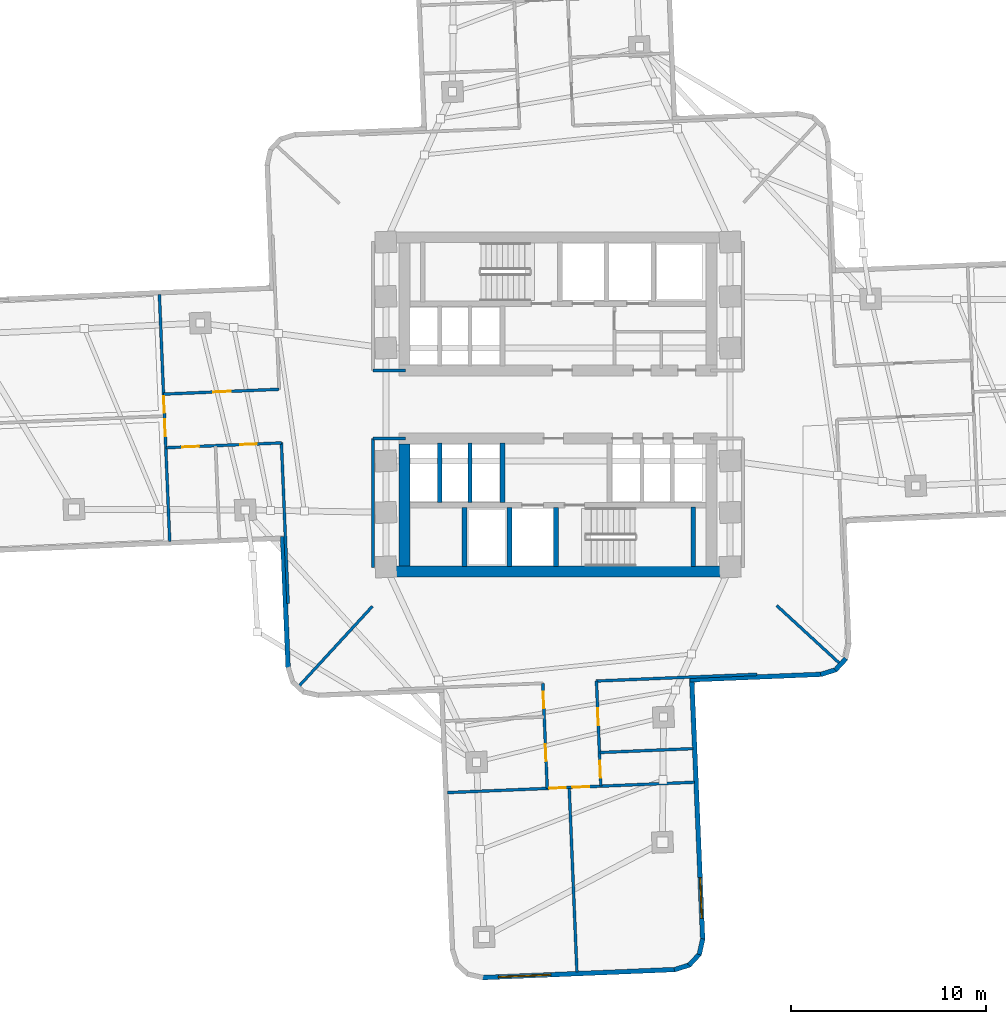
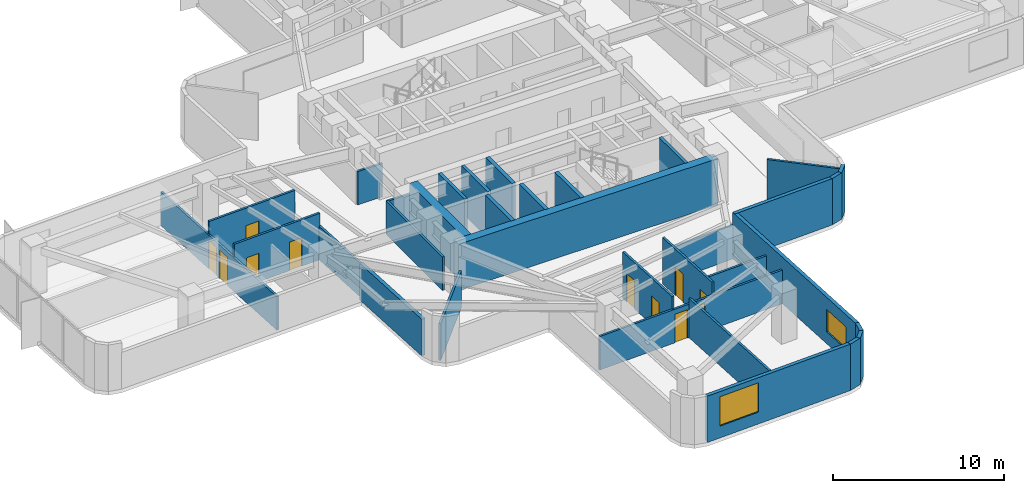
# One storey, part 8 of 15: 33 walls, 11 doors, 2 windows, 13 openings.
"""IFC4 building model written with IfcOpenShell, lengths in metres."""

from ifc_helpers import new_model, si_unit, direction, frame, frame_2d, origin, place, context, subcontext, project, spatial, rectangle, extrude, material, layer, layer_set, type_object, element, fill, save


model = new_model("IFC4")

# Units and contexts
model_context = context("Model", 3, precision=1e-05, world=origin(), true_north=direction((0.0, 1.0)))
body_context = subcontext(model_context, "Body", "Model", "MODEL_VIEW")
ifc_project = project(units=[si_unit("LENGTHUNIT", "METRE"), si_unit("AREAUNIT", "SQUARE_METRE"), si_unit("VOLUMEUNIT", "CUBIC_METRE"), si_unit("PLANEANGLEUNIT", "RADIAN"), si_unit("MASSUNIT", "GRAM", prefix="KILO")], contexts=[model_context])

# Site, building, storey
site_placement = place(None, origin())
site = spatial("IfcSite", under=ifc_project, at=site_placement, CompositionType="ELEMENT")
building_placement = place(site_placement, origin())
building = spatial("IfcBuilding", under=site, at=building_placement, Name="Solmarez Civic Tower", CompositionType="ELEMENT")
storey_placement = place(building_placement, frame((0.0, 0.0, 46.080078125)))
storey = spatial("IfcBuildingStorey", under=building, at=storey_placement, Name="L11", CompositionType="ELEMENT", Elevation=46.080078125)

# Walls
ifc_material_1 = material(Name="Concrete C60/75", Category="concrete")
ifc_layer_1 = layer(ifc_material_1, 0.550048828125)
ifc_layer_set_1 = layer_set([ifc_layer_1], Name="Concrete C60/75")
wall_type_1 = type_object("IfcWallType", Name="WALL-CORE-550", PredefinedType="SHEAR", material=ifc_layer_set_1)
wall_1_placement = place(storey_placement, frame((8.780029296875, -8.5849609375, 0.0), z_axis=(0.0, 0.0, 1.0), x_axis=(-1.0, 0.0, 0.0)))
element("IfcWall", 1, at=wall_1_placement, inside=storey, type_object=wall_type_1, Name="L11 Split-Core Structural Wall SCW-S-L11", PredefinedType="SHEAR", context=body_context, shape_type="SweptSolid", body=[
    extrude(rectangle(XDim=17.56005859375, YDim=0.550048828125, at=frame_2d((8.780029296875, 0.0))), origin(), (0.0, 0.0, 1.0), 3.31982421875),
])
wall_2_placement = place(storey_placement, frame((-7.89501953125, -8.31005859375, 0.0), z_axis=(0.0, 0.0, 1.0), x_axis=(0.0, 1.0, 0.0)))
element("IfcWall", 2, at=wall_2_placement, inside=storey, type_object=wall_type_1, Name="L11 Split-Core Structural Wall SCW-W-L11", PredefinedType="SHEAR", context=body_context, shape_type="SweptSolid", body=[
    extrude(rectangle(XDim=6.28515625, YDim=0.550048828125, at=frame_2d((3.142578125, 0.0))), origin(), (0.0, 0.0, 1.0), 3.31982421875),
])
ifc_material_2 = material(Name="Precast concrete C40/50", Category="concrete")
ifc_layer_2 = layer(ifc_material_2, 0.239990234375)
ifc_layer_set_2 = layer_set([ifc_layer_2], Name="Precast concrete C40/50")
wall_type_2 = type_object("IfcWallType", Name="WALL-EXT-240", PredefinedType="SOLIDWALL", material=ifc_layer_set_2)
wall_3_placement = place(storey_placement, frame((14.805908203125, -13.06201171875, 0.0), z_axis=(0.0, 0.0, 1.0), x_axis=(-0.677693750404, -0.735344259965, 0.0)))
element("IfcWall", 3, at=wall_3_placement, inside=storey, type_object=wall_type_2, Name="L11 Exterior Precast Wall 51", PredefinedType="SOLIDWALL", context=body_context, shape_type="SweptSolid", body=[
    extrude(rectangle(XDim=0.81298828125, YDim=0.239990234375, at=frame_2d((0.406494140625, 0.0))), origin(), (0.0, 0.0, 1.0), 3.31982421875),
])
wall_4_placement = place(storey_placement, frame((14.2958984375, -13.635009765625, 0.0), z_axis=(0.0, 0.0, 1.0), x_axis=(-0.954396284631, -0.298542680168, 0.0)))
element("IfcWall", 4, at=wall_4_placement, inside=storey, type_object=wall_type_2, Name="L11 Exterior Precast Wall 52", PredefinedType="SOLIDWALL", context=body_context, shape_type="SweptSolid", body=[
    extrude(rectangle(XDim=0.830810546875, YDim=0.239990234375, at=frame_2d((0.41552734375, 0.0))), origin(), (0.0, 0.0, 1.0), 3.31982421875),
])
wall_5_placement = place(storey_placement, frame((13.552001953125, -13.875, 0.0), z_axis=(0.0, 0.0, 1.0), x_axis=(-0.999127443157, -0.041765444226, 0.0)))
element("IfcWall", 5, at=wall_5_placement, inside=storey, type_object=wall_type_2, Name="L11 Exterior Precast Wall 53", PredefinedType="SOLIDWALL", context=body_context, shape_type="SweptSolid", body=[
    extrude(rectangle(XDim=6.77490234375, YDim=0.239990234375, at=frame_2d((3.387451171875, 0.0))), origin(), (0.0, 0.0, 1.0), 3.31982421875),
])

# Wall, opening, window
wall_6_placement = place(storey_placement, frame((6.875, -14.05810546875, 0.0), z_axis=(0.0, 0.0, 1.0), x_axis=(0.041850586852, -0.999123880397, 0.0)))
wall_6 = element("IfcWall", 6, at=wall_6_placement, inside=storey, type_object=wall_type_2, Name="L11 Exterior Precast Wall 56", PredefinedType="SOLIDWALL", context=body_context, shape_type="SweptSolid", body=[
    extrude(rectangle(XDim=13.4755859375, YDim=0.239990234375, at=frame_2d((6.73779296875, 0.0))), origin(), (0.0, 0.0, 1.0), 3.31982421875),
])
opening_1_placement = place(wall_6_placement, frame((10.27587890625, 0.0, 0.85009765625)))
opening_1 = element("IfcOpeningElement", 7, at=opening_1_placement, cuts=wall_6, Name="Opening W-11", PredefinedType="OPENING", context=body_context, shape_type="SweptSolid", body=[
    extrude(rectangle(XDim=2.10009765625, YDim=1.60009765625, at=frame_2d((1.050048828125, 0.800048828125))), frame((0.0, 0.1298828125, 0.0), z_axis=(0.0, -1.0, 0.0), x_axis=(1.0, 0.0, 0.0)), (0.0, 0.0, 1.0), 0.260009765625),
])
ifc_material_3 = material(Name="Solar Control Bronze-Tinted Insulating Glass", Category="glass")
window_type_1 = type_object("IfcWindowType", Name="WIN-2100X1600", PartitioningType="SINGLE_PANEL", PredefinedType="WINDOW", material=ifc_material_3)
window_1_placement = place(opening_1_placement, origin())
window_1 = element("IfcWindow", 8, at=window_1_placement, inside=storey, type_object=window_type_1, Name="L11 Exterior Facade Window 56", OverallHeight=1.60009765625, OverallWidth=2.10009765625, PartitioningType="SINGLE_PANEL", PredefinedType="WINDOW", context=body_context, shape_type="SweptSolid", body=[
    extrude(rectangle(XDim=2.10009765625, YDim=1.60009765625, at=frame_2d((1.050048828125, 0.800048828125))), frame((0.0, 0.030029296875, 0.0), z_axis=(0.0, -1.0, 0.0), x_axis=(1.0, 0.0, 0.0)), (0.0, 0.0, 1.0), 0.06005859375),
])
fill(opening_1, window_1)

# Walls
wall_7_placement = place(storey_placement, frame((7.443115234375, -27.472900390625, 0.0), z_axis=(0.0, 0.0, 1.0), x_axis=(-0.21736704137, -0.976089939158, 0.0)))
element("IfcWall", 9, at=wall_7_placement, inside=storey, type_object=wall_type_2, Name="L11 Exterior Precast Wall 57", PredefinedType="SOLIDWALL", context=body_context, shape_type="SweptSolid", body=[
    extrude(rectangle(XDim=0.828857421875, YDim=0.239990234375, at=frame_2d((0.41455078125, 0.0))), origin(), (0.0, 0.0, 1.0), 3.31982421875),
])
wall_8_placement = place(storey_placement, frame((7.284912109375, -28.239990234375, 0.0), z_axis=(0.0, 0.0, 1.0), x_axis=(-0.676946063044, -0.73603262681, 0.0)))
element("IfcWall", 10, at=wall_8_placement, inside=storey, type_object=wall_type_2, Name="L11 Exterior Precast Wall 58", PredefinedType="SOLIDWALL", context=body_context, shape_type="SweptSolid", body=[
    extrude(rectangle(XDim=0.81396484375, YDim=0.239990234375, at=frame_2d((0.406982421875, 0.0))), origin(), (0.0, 0.0, 1.0), 3.31982421875),
])
wall_9_placement = place(storey_placement, frame((6.77490234375, -28.81396484375, 0.0), z_axis=(0.0, 0.0, 1.0), x_axis=(-0.954730695464, -0.297471509794, 0.0)))
element("IfcWall", 11, at=wall_9_placement, inside=storey, type_object=wall_type_2, Name="L11 Exterior Precast Wall 59", PredefinedType="SOLIDWALL", context=body_context, shape_type="SweptSolid", body=[
    extrude(rectangle(XDim=0.83056640625, YDim=0.239990234375, at=frame_2d((0.415283203125, 0.0))), origin(), (0.0, 0.0, 1.0), 3.31982421875),
])

# Wall, opening, window
wall_10_placement = place(storey_placement, frame((6.031005859375, -29.052978515625, 0.0), z_axis=(0.0, 0.0, 1.0), x_axis=(-0.999123553269, -0.041858395859, 0.0)))
wall_10 = element("IfcWall", 12, at=wall_10_placement, inside=storey, type_object=wall_type_2, Name="L11 Exterior Precast Wall 60", PredefinedType="SOLIDWALL", context=body_context, shape_type="SweptSolid", body=[
    extrude(rectangle(XDim=9.938720703125, YDim=0.239990234375, at=frame_2d((4.96923828125, 0.0))), origin(), (0.0, 0.0, 1.0), 3.31982421875),
])
opening_2_placement = place(wall_10_placement, frame((6.402099609375, 0.0, 0.85009765625)))
opening_2 = element("IfcOpeningElement", 13, at=opening_2_placement, cuts=wall_10, Name="Opening W-01", PredefinedType="OPENING", context=body_context, shape_type="SweptSolid", body=[
    extrude(rectangle(XDim=2.699951171875, YDim=2.10009765625, at=frame_2d((1.35009765625, 1.050048828125))), frame((0.0, 0.1298828125, 0.0), z_axis=(0.0, -1.0, 0.0), x_axis=(1.0, 0.0, 0.0)), (0.0, 0.0, 1.0), 0.260009765625),
])
window_type_2 = type_object("IfcWindowType", Name="WIN-2700X2100", PartitioningType="SINGLE_PANEL", PredefinedType="WINDOW", material=ifc_material_3)
window_2_placement = place(opening_2_placement, origin())
window_2 = element("IfcWindow", 14, at=window_2_placement, inside=storey, type_object=window_type_2, Name="L11 Exterior Facade Window 60", OverallHeight=2.10009765625, OverallWidth=2.699951171875, PartitioningType="SINGLE_PANEL", PredefinedType="WINDOW", context=body_context, shape_type="SweptSolid", body=[
    extrude(rectangle(XDim=2.699951171875, YDim=2.10009765625, at=frame_2d((1.35009765625, 1.050048828125))), frame((0.0, 0.030029296875, 0.0), z_axis=(0.0, -1.0, 0.0), x_axis=(1.0, 0.0, 0.0)), (0.0, 0.0, 1.0), 0.06005859375),
])
fill(opening_2, window_2)

# Walls
wall_11_placement = place(storey_placement, frame((-13.875, -13.552001953125, 0.0), z_axis=(0.0, 0.0, 1.0), x_axis=(-0.041765444226, 0.999127443157, 0.0)))
element("IfcWall", 15, at=wall_11_placement, inside=storey, type_object=wall_type_2, Name="L11 Exterior Precast Wall 71", PredefinedType="SOLIDWALL", context=body_context, shape_type="SweptSolid", body=[
    extrude(rectangle(XDim=6.77490234375, YDim=0.239990234375, at=frame_2d((3.387451171875, 0.0))), origin(), (0.0, 0.0, 1.0), 2.6240234375),
])
ifc_material_4 = material(Name="Gypsum Board Acoustic Steel-Stud Partition", Category="steel")
ifc_layer_3 = layer(ifc_material_4, 0.14990234375)
ifc_layer_set_3 = layer_set([ifc_layer_3], Name="Gypsum Board Acoustic Steel-Stud Partition")
wall_type_3 = type_object("IfcWallType", Name="WALL-INT-FIRE-150", PredefinedType="PARTITIONING", material=ifc_layer_set_3)
wall_12_placement = place(storey_placement, frame((-7.85009765625, 1.75, 0.0), z_axis=(0.0, 0.0, 1.0), x_axis=(-1.0, 0.0, 0.0)))
element("IfcWall", 16, at=wall_12_placement, inside=storey, type_object=wall_type_3, Name="L11 Interior Partition CHW-L11-WN3", PredefinedType="PARTITIONING", context=body_context, shape_type="SweptSolid", body=[
    extrude(rectangle(XDim=1.669921875, YDim=0.14990234375, at=frame_2d((0.8349609375, 0.0))), origin(), (0.0, 0.0, 1.0), 2.385009765625),
])
wall_13_placement = place(storey_placement, frame((-9.52001953125, -8.3798828125, 0.0), z_axis=(0.0, 0.0, 1.0), x_axis=(0.0, 1.0, 0.0)))
element("IfcWall", 17, at=wall_13_placement, inside=storey, type_object=wall_type_3, Name="L11 Interior Partition CHW-L11-WS1", PredefinedType="PARTITIONING", context=body_context, shape_type="SweptSolid", body=[
    extrude(rectangle(XDim=6.6298828125, YDim=0.14990234375, at=frame_2d((3.31494140625, 0.0))), origin(), (0.0, 0.0, 1.0), 2.40087890625),
])
wall_14_placement = place(storey_placement, frame((-7.85009765625, -1.75, 0.0), z_axis=(0.0, 0.0, 1.0), x_axis=(-1.0, 0.0, 0.0)))
element("IfcWall", 18, at=wall_14_placement, inside=storey, type_object=wall_type_3, Name="L11 Interior Partition CHW-L11-WS3", PredefinedType="PARTITIONING", context=body_context, shape_type="SweptSolid", body=[
    extrude(rectangle(XDim=1.669921875, YDim=0.14990234375, at=frame_2d((0.8349609375, 0.0))), origin(), (0.0, 0.0, 1.0), 2.385009765625),
])
ifc_layer_4 = layer(ifc_material_4, 0.14501953125)
ifc_layer_set_4 = layer_set([ifc_layer_4], Name="Gypsum Board Acoustic Steel-Stud Partition")
wall_type_4 = type_object("IfcWallType", Name="WALL-INT-PART-150", PredefinedType="PARTITIONING", material=ifc_layer_set_4)
wall_15_placement = place(storey_placement, frame((-9.5439453125, -10.3798828125, 0.0), z_axis=(0.0, 0.0, 1.0), x_axis=(-0.676856513188, -0.736114977809, 0.0)))
element("IfcWall", 19, at=wall_15_placement, inside=storey, type_object=wall_type_4, Name="L11 Interior Partition PT-L11-QDIV-3", PredefinedType="PARTITIONING", context=body_context, shape_type="SweptSolid", body=[
    extrude(rectangle(XDim=5.5537109375, YDim=0.14501953125, at=frame_2d((2.77685546875, 0.0))), origin(), (0.0, 0.0, 1.0), 2.6240234375),
])
wall_16_placement = place(storey_placement, frame((11.2451171875, -10.340087890625, 0.0), z_axis=(0.0, 0.0, 1.0), x_axis=(0.736178820698, -0.676787074312, 0.0)))
element("IfcWall", 20, at=wall_16_placement, inside=storey, type_object=wall_type_4, Name="L11 Interior Partition PT-L11-QDIV-4", PredefinedType="PARTITIONING", context=body_context, shape_type="SweptSolid", body=[
    extrude(rectangle(XDim=4.3779296875, YDim=0.14501953125, at=frame_2d((2.18896484375, 0.0))), origin(), (0.0, 0.0, 1.0), 3.31982421875),
])
wall_17_placement = place(storey_placement, frame((-14.219970703125, -1.967041015625, 0.0), z_axis=(0.0, 0.0, 1.0), x_axis=(0.041948565382, -0.99911977153, 0.0)))
element("IfcWall", 21, at=wall_17_placement, inside=storey, type_object=wall_type_4, Name="L11 Interior Partition PT-L11-W-EFL", PredefinedType="PARTITIONING", context=body_context, shape_type="SweptSolid", body=[
    extrude(rectangle(XDim=8.270263671875, YDim=0.14501953125, at=frame_2d((4.13525390625, 0.0))), origin(), (0.0, 0.0, 1.0), 2.40087890625),
])

# Wall, openings, doors
wall_18_placement = place(storey_placement, frame((-20.1640625, -2.22607421875, 0.0), z_axis=(0.0, 0.0, 1.0), x_axis=(0.999123588206, 0.041857561916, 0.0)))
wall_18 = element("IfcWall", 22, at=wall_18_placement, inside=storey, type_object=wall_type_4, Name="L11 Interior Partition PT-L11-W-SL", PredefinedType="PARTITIONING", context=body_context, shape_type="SweptSolid", body=[
    extrude(rectangle(XDim=5.94921875, YDim=0.14501953125, at=frame_2d((2.974609375, 0.0))), origin(), (0.0, 0.0, 1.0), 3.31982421875),
])
opening_3_placement = place(wall_18_placement, frame((3.823974609375, 0.0, 0.0)))
opening_3 = element("IfcOpeningElement", 23, at=opening_3_placement, cuts=wall_18, Name="Opening D-14", PredefinedType="OPENING", context=body_context, shape_type="SweptSolid", body=[
    extrude(rectangle(XDim=0.860107421875, YDim=2.0400390625, at=frame_2d((0.43017578125, 1.02001953125))), frame((0.0, 0.08251953125, 0.0), z_axis=(0.0, -1.0, 0.0), x_axis=(1.0, 0.0, 0.0)), (0.0, 0.0, 1.0), 0.1650390625),
])
opening_4_placement = place(wall_18_placement, frame((0.84912109375, 0.0, 0.0)))
opening_4 = element("IfcOpeningElement", 24, at=opening_4_placement, cuts=wall_18, Name="Opening D-14", PredefinedType="OPENING", context=body_context, shape_type="SweptSolid", body=[
    extrude(rectangle(XDim=0.860107421875, YDim=2.0400390625, at=frame_2d((0.43017578125, 1.02001953125))), frame((0.0, 0.08251953125, 0.0), z_axis=(0.0, -1.0, 0.0), x_axis=(1.0, 0.0, 0.0)), (0.0, 0.0, 1.0), 0.1650390625),
])
ifc_material_5 = material(Name="Timber Storage and Pantry Door", Category="wood")
door_type_1 = type_object("IfcDoorType", Name="DOOR-INT-850", OperationType="NOTDEFINED", PredefinedType="DOOR", material=ifc_material_5)
door_1_placement = place(opening_3_placement, origin())
door_1 = element("IfcDoor", 25, at=door_1_placement, inside=storey, type_object=door_type_1, Name="L11 Directorate Office First West Door", OperationType="SINGLE_SWING_LEFT", OverallHeight=2.0400390625, OverallWidth=0.860107421875, PredefinedType="DOOR", context=body_context, shape_type="SweptSolid", body=[
    extrude(rectangle(XDim=0.860107421875, YDim=2.0400390625, at=frame_2d((0.43017578125, 1.02001953125))), frame((0.0, 0.02490234375, 0.0), z_axis=(0.0, -1.0, 0.0), x_axis=(1.0, 0.0, 0.0)), (0.0, 0.0, 1.0), 0.050048828125),
])
fill(opening_3, door_1)
door_2_placement = place(opening_4_placement, origin())
door_2 = element("IfcDoor", 26, at=door_2_placement, inside=storey, type_object=door_type_1, Name="L11 Legal Counselling Room Second West Door", OperationType="SINGLE_SWING_RIGHT", OverallHeight=2.0400390625, OverallWidth=0.860107421875, PredefinedType="DOOR", context=body_context, shape_type="SweptSolid", body=[
    extrude(rectangle(XDim=0.860107421875, YDim=2.0400390625, at=frame_2d((0.43017578125, 1.02001953125))), frame((0.0, 0.02490234375, 0.0), z_axis=(0.0, -1.0, 0.0), x_axis=(1.0, 0.0, 0.0)), (0.0, 0.0, 1.0), 0.050048828125),
])
fill(opening_4, door_2)

# Wall, opening, door
wall_19_placement = place(storey_placement, frame((-14.3349609375, 0.780029296875, 0.0), z_axis=(0.0, 0.0, 1.0), x_axis=(-0.999123875731, -0.041850698257, 0.0)))
wall_19 = element("IfcWall", 27, at=wall_19_placement, inside=storey, type_object=wall_type_4, Name="L11 Interior Partition PT-L11-W-SR", PredefinedType="PARTITIONING", context=body_context, shape_type="SweptSolid", body=[
    extrude(rectangle(XDim=5.9501953125, YDim=0.14501953125, at=frame_2d((2.97509765625, 0.0))), origin(), (0.0, 0.0, 1.0), 3.31982421875),
])
opening_5_placement = place(wall_19_placement, frame((2.4951171875, 0.0, 0.0)))
opening_5 = element("IfcOpeningElement", 28, at=opening_5_placement, cuts=wall_19, Name="Opening D-08", PredefinedType="OPENING", context=body_context, shape_type="SweptSolid", body=[
    extrude(rectangle(XDim=0.89990234375, YDim=2.06005859375, at=frame_2d((0.449951171875, 1.030029296875))), frame((0.0, 0.08251953125, 0.0), z_axis=(0.0, -1.0, 0.0), x_axis=(1.0, 0.0, 0.0)), (0.0, 0.0, 1.0), 0.1650390625),
])
ifc_material_6 = material(Name="Solid-Core Timber Office Door", Category="wood")
door_type_2 = type_object("IfcDoorType", Name="DOOR-INT-900", OperationType="NOTDEFINED", PredefinedType="DOOR", material=ifc_material_6)
door_3_placement = place(opening_5_placement, origin())
door_3 = element("IfcDoor", 29, at=door_3_placement, inside=storey, type_object=door_type_2, Name="L11 Citizen Consultation Room Third West Door", OperationType="SINGLE_SWING_RIGHT", OverallHeight=2.06005859375, OverallWidth=0.89990234375, PredefinedType="DOOR", context=body_context, shape_type="SweptSolid", body=[
    extrude(rectangle(XDim=0.89990234375, YDim=2.06005859375, at=frame_2d((0.449951171875, 1.030029296875))), frame((0.0, 0.02490234375, 0.0), z_axis=(0.0, -1.0, 0.0), x_axis=(1.0, 0.0, 0.0)), (0.0, 0.0, 1.0), 0.050048828125),
])
fill(opening_5, door_3)

# Wall, openings, doors
wall_20_placement = place(storey_placement, frame((-19.962890625, -7.037109375, 0.0), z_axis=(0.0, 0.0, 1.0), x_axis=(-0.041873423051, 0.999122923589, 0.0)))
wall_20 = element("IfcWall", 30, at=wall_20_placement, inside=storey, type_object=wall_type_4, Name="L11 Interior Partition PT-L11-W-END", PredefinedType="PARTITIONING", context=body_context, shape_type="SweptSolid", body=[
    extrude(rectangle(XDim=12.71044921875, YDim=0.14501953125, at=frame_2d((6.355224609375, 0.0))), origin(), (0.0, 0.0, 1.0), 2.40087890625),
])
opening_6_placement = place(wall_20_placement, frame((6.614990234375, 0.0, 0.0)))
opening_6 = element("IfcOpeningElement", 31, at=opening_6_placement, cuts=wall_20, Name="Opening D-14", PredefinedType="OPENING", context=body_context, shape_type="SweptSolid", body=[
    extrude(rectangle(XDim=0.860107421875, YDim=2.0400390625, at=frame_2d((0.43017578125, 1.02001953125))), frame((0.0, 0.08251953125, 0.0), z_axis=(0.0, -1.0, 0.0), x_axis=(1.0, 0.0, 0.0)), (0.0, 0.0, 1.0), 0.1650390625),
])
opening_7_placement = place(wall_20_placement, frame((5.4150390625, 0.0, 0.0)))
opening_7 = element("IfcOpeningElement", 32, at=opening_7_placement, cuts=wall_20, Name="Opening D-14", PredefinedType="OPENING", context=body_context, shape_type="SweptSolid", body=[
    extrude(rectangle(XDim=0.860107421875, YDim=2.0400390625, at=frame_2d((0.43017578125, 1.02001953125))), frame((0.0, 0.08251953125, 0.0), z_axis=(0.0, -1.0, 0.0), x_axis=(1.0, 0.0, 0.0)), (0.0, 0.0, 1.0), 0.1650390625),
])
door_4_placement = place(opening_6_placement, origin())
door_4 = element("IfcDoor", 33, at=door_4_placement, inside=storey, type_object=door_type_1, Name="L11 Policy Administration Office Sixth West Door", OperationType="SINGLE_SWING_RIGHT", OverallHeight=2.0400390625, OverallWidth=0.860107421875, PredefinedType="DOOR", context=body_context, shape_type="SweptSolid", body=[
    extrude(rectangle(XDim=0.860107421875, YDim=2.0400390625, at=frame_2d((0.43017578125, 1.02001953125))), frame((0.0, 0.02490234375, 0.0), z_axis=(0.0, -1.0, 0.0), x_axis=(1.0, 0.0, 0.0)), (0.0, 0.0, 1.0), 0.050048828125),
])
fill(opening_6, door_4)
door_5_placement = place(opening_7_placement, origin())
door_5 = element("IfcDoor", 34, at=door_5_placement, inside=storey, type_object=door_type_1, Name="L11 Citizen Consultation Room Fifth West Door", OperationType="SINGLE_SWING_LEFT", OverallHeight=2.0400390625, OverallWidth=0.860107421875, PredefinedType="DOOR", context=body_context, shape_type="SweptSolid", body=[
    extrude(rectangle(XDim=0.860107421875, YDim=2.0400390625, at=frame_2d((0.43017578125, 1.02001953125))), frame((0.0, 0.02490234375, 0.0), z_axis=(0.0, -1.0, 0.0), x_axis=(1.0, 0.0, 0.0)), (0.0, 0.0, 1.0), 0.050048828125),
])
fill(opening_7, door_5)

# Walls
wall_21_placement = place(storey_placement, frame((1.967041015625, -14.219970703125, 0.0), z_axis=(0.0, 0.0, 1.0), x_axis=(0.99911977153, 0.041948565382, 0.0)))
element("IfcWall", 35, at=wall_21_placement, inside=storey, type_object=wall_type_4, Name="L11 Interior Partition PT-L11-S-EFL", PredefinedType="PARTITIONING", context=body_context, shape_type="SweptSolid", body=[
    extrude(rectangle(XDim=8.270263671875, YDim=0.14501953125, at=frame_2d((4.13525390625, 0.0))), origin(), (0.0, 0.0, 1.0), 2.40087890625),
])
wall_22_placement = place(storey_placement, frame((2.15087890625, -17.89599609375, 0.0), z_axis=(0.0, 0.0, 1.0), x_axis=(0.999121741873, 0.041901609945, 0.0)))
element("IfcWall", 36, at=wall_22_placement, inside=storey, type_object=wall_type_4, Name="L11 Interior Partition PT-L11-S-LM", PredefinedType="PARTITIONING", context=body_context, shape_type="SweptSolid", body=[
    extrude(rectangle(XDim=4.795166015625, YDim=0.14501953125, at=frame_2d((2.3974609375, 0.0))), origin(), (0.0, 0.0, 1.0), 2.40087890625),
])

# Wall, openings, doors
wall_23_placement = place(storey_placement, frame((2.2041015625, -19.625, 0.0), z_axis=(0.0, 0.0, 1.0), x_axis=(-0.041970303018, 0.999118858627, 0.0)))
wall_23 = element("IfcWall", 37, at=wall_23_placement, inside=storey, type_object=wall_type_4, Name="L11 Interior Partition PT-L11-S-SL", PredefinedType="PARTITIONING", context=body_context, shape_type="SweptSolid", body=[
    extrude(rectangle(XDim=5.409912109375, YDim=0.14501953125, at=frame_2d((2.705078125, 0.0))), origin(), (0.0, 0.0, 1.0), 3.31982421875),
])
opening_8_placement = place(wall_23_placement, frame((3.139892578125, 0.0, 0.0)))
opening_8 = element("IfcOpeningElement", 38, at=opening_8_placement, cuts=wall_23, Name="Opening D-14", PredefinedType="OPENING", context=body_context, shape_type="SweptSolid", body=[
    extrude(rectangle(XDim=0.860107421875, YDim=2.0400390625, at=frame_2d((0.43017578125, 1.02001953125))), frame((0.0, 0.08251953125, 0.0), z_axis=(0.0, -1.0, 0.0), x_axis=(1.0, 0.0, 0.0)), (0.0, 0.0, 1.0), 0.1650390625),
])
opening_9_placement = place(wall_23_placement, frame((0.43505859375, 0.0, 0.0)))
opening_9 = element("IfcOpeningElement", 39, at=opening_9_placement, cuts=wall_23, Name="Opening D-14", PredefinedType="OPENING", context=body_context, shape_type="SweptSolid", body=[
    extrude(rectangle(XDim=0.860107421875, YDim=2.0400390625, at=frame_2d((0.43017578125, 1.02001953125))), frame((0.0, 0.08251953125, 0.0), z_axis=(0.0, -1.0, 0.0), x_axis=(1.0, 0.0, 0.0)), (0.0, 0.0, 1.0), 0.1650390625),
])
door_6_placement = place(opening_8_placement, origin())
door_6 = element("IfcDoor", 40, at=door_6_placement, inside=storey, type_object=door_type_1, Name="L11 Legal Counselling Room First South Door", OperationType="SINGLE_SWING_LEFT", OverallHeight=2.0400390625, OverallWidth=0.860107421875, PredefinedType="DOOR", context=body_context, shape_type="SweptSolid", body=[
    extrude(rectangle(XDim=0.860107421875, YDim=2.0400390625, at=frame_2d((0.43017578125, 1.02001953125))), frame((0.0, 0.02490234375, 0.0), z_axis=(0.0, -1.0, 0.0), x_axis=(1.0, 0.0, 0.0)), (0.0, 0.0, 1.0), 0.050048828125),
])
fill(opening_8, door_6)
door_7_placement = place(opening_9_placement, origin())
door_7 = element("IfcDoor", 41, at=door_7_placement, inside=storey, type_object=door_type_1, Name="L11 Citizen Consultation Room Second South Door", OperationType="SINGLE_SWING_RIGHT", OverallHeight=2.0400390625, OverallWidth=0.860107421875, PredefinedType="DOOR", context=body_context, shape_type="SweptSolid", body=[
    extrude(rectangle(XDim=0.860107421875, YDim=2.0400390625, at=frame_2d((0.43017578125, 1.02001953125))), frame((0.0, 0.02490234375, 0.0), z_axis=(0.0, -1.0, 0.0), x_axis=(1.0, 0.0, 0.0)), (0.0, 0.0, 1.0), 0.050048828125),
])
fill(opening_9, door_7)

wall_24_placement = place(storey_placement, frame((-0.780029296875, -14.3349609375, 0.0), z_axis=(0.0, 0.0, 1.0), x_axis=(0.041782565573, -0.999126727304, 0.0)))
wall_24 = element("IfcWall", 42, at=wall_24_placement, inside=storey, type_object=wall_type_4, Name="L11 Interior Partition PT-L11-S-SR", PredefinedType="PARTITIONING", context=body_context, shape_type="SweptSolid", body=[
    extrude(rectangle(XDim=5.41064453125, YDim=0.14501953125, at=frame_2d((2.705322265625, 0.0))), origin(), (0.0, 0.0, 1.0), 3.31982421875),
])
opening_10_placement = place(wall_24_placement, frame((0.43505859375, 0.0, 0.0)))
opening_10 = element("IfcOpeningElement", 43, at=opening_10_placement, cuts=wall_24, Name="Opening D-14", PredefinedType="OPENING", context=body_context, shape_type="SweptSolid", body=[
    extrude(rectangle(XDim=0.860107421875, YDim=2.0400390625, at=frame_2d((0.43017578125, 1.02001953125))), frame((0.0, 0.08251953125, 0.0), z_axis=(0.0, -1.0, 0.0), x_axis=(1.0, 0.0, 0.0)), (0.0, 0.0, 1.0), 0.1650390625),
])
opening_11_placement = place(wall_24_placement, frame((3.139892578125, 0.0, 0.0)))
opening_11 = element("IfcOpeningElement", 44, at=opening_11_placement, cuts=wall_24, Name="Opening D-14", PredefinedType="OPENING", context=body_context, shape_type="SweptSolid", body=[
    extrude(rectangle(XDim=0.860107421875, YDim=2.0400390625, at=frame_2d((0.43017578125, 1.02001953125))), frame((0.0, 0.08251953125, 0.0), z_axis=(0.0, -1.0, 0.0), x_axis=(1.0, 0.0, 0.0)), (0.0, 0.0, 1.0), 0.1650390625),
])
door_8_placement = place(opening_10_placement, origin())
door_8 = element("IfcDoor", 45, at=door_8_placement, inside=storey, type_object=door_type_1, Name="L11 Policy Administration Office Third South Door", OperationType="SINGLE_SWING_RIGHT", OverallHeight=2.0400390625, OverallWidth=0.860107421875, PredefinedType="DOOR", context=body_context, shape_type="SweptSolid", body=[
    extrude(rectangle(XDim=0.860107421875, YDim=2.0400390625, at=frame_2d((0.43017578125, 1.02001953125))), frame((0.0, 0.02490234375, 0.0), z_axis=(0.0, -1.0, 0.0), x_axis=(1.0, 0.0, 0.0)), (0.0, 0.0, 1.0), 0.050048828125),
])
fill(opening_10, door_8)
door_9_placement = place(opening_11_placement, origin())
door_9 = element("IfcDoor", 46, at=door_9_placement, inside=storey, type_object=door_type_1, Name="L11 Directorate Office Fourth South Door", OperationType="SINGLE_SWING_LEFT", OverallHeight=2.0400390625, OverallWidth=0.860107421875, PredefinedType="DOOR", context=body_context, shape_type="SweptSolid", body=[
    extrude(rectangle(XDim=0.860107421875, YDim=2.0400390625, at=frame_2d((0.43017578125, 1.02001953125))), frame((0.0, 0.02490234375, 0.0), z_axis=(0.0, -1.0, 0.0), x_axis=(1.0, 0.0, 0.0)), (0.0, 0.0, 1.0), 0.050048828125),
])
fill(opening_11, door_9)

# Wall
wall_25_placement = place(storey_placement, frame((0.577880859375, -19.7529296875, 0.0), z_axis=(0.0, 0.0, 1.0), x_axis=(0.041866246522, -0.999123224333, 0.0)))
element("IfcWall", 47, at=wall_25_placement, inside=storey, type_object=wall_type_4, Name="L11 Interior Partition PT-L11-S-TM", PredefinedType="PARTITIONING", context=body_context, shape_type="SweptSolid", body=[
    extrude(rectangle(XDim=9.435302734375, YDim=0.14501953125, at=frame_2d((4.7177734375, 0.0))), origin(), (0.0, 0.0, 1.0), 2.81201171875),
])

# Wall, openings, doors
wall_26_placement = place(storey_placement, frame((7.014892578125, -19.423095703125, 0.0), z_axis=(0.0, 0.0, 1.0), x_axis=(-0.99912047737, -0.041931750497, 0.0)))
wall_26 = element("IfcWall", 48, at=wall_26_placement, inside=storey, type_object=wall_type_4, Name="L11 Interior Partition PT-L11-S-END", PredefinedType="PARTITIONING", context=body_context, shape_type="SweptSolid", body=[
    extrude(rectangle(XDim=12.710205078125, YDim=0.14501953125, at=frame_2d((6.35498046875, 0.0))), origin(), (0.0, 0.0, 1.0), 2.40087890625),
])
opening_12_placement = place(wall_26_placement, frame((6.614990234375, 0.0, 0.0)))
opening_12 = element("IfcOpeningElement", 49, at=opening_12_placement, cuts=wall_26, Name="Opening D-14", PredefinedType="OPENING", context=body_context, shape_type="SweptSolid", body=[
    extrude(rectangle(XDim=0.860107421875, YDim=2.0400390625, at=frame_2d((0.43017578125, 1.02001953125))), frame((0.0, 0.08251953125, 0.0), z_axis=(0.0, -1.0, 0.0), x_axis=(1.0, 0.0, 0.0)), (0.0, 0.0, 1.0), 0.1650390625),
])
opening_13_placement = place(wall_26_placement, frame((5.4150390625, 0.0, 0.0)))
opening_13 = element("IfcOpeningElement", 50, at=opening_13_placement, cuts=wall_26, Name="Opening D-14", PredefinedType="OPENING", context=body_context, shape_type="SweptSolid", body=[
    extrude(rectangle(XDim=0.860107421875, YDim=2.0400390625, at=frame_2d((0.43017578125, 1.02001953125))), frame((0.0, 0.08251953125, 0.0), z_axis=(0.0, -1.0, 0.0), x_axis=(1.0, 0.0, 0.0)), (0.0, 0.0, 1.0), 0.1650390625),
])
door_10_placement = place(opening_12_placement, origin())
door_10 = element("IfcDoor", 51, at=door_10_placement, inside=storey, type_object=door_type_1, Name="L11 Directorate Office Sixth South Door", OperationType="SINGLE_SWING_RIGHT", OverallHeight=2.0400390625, OverallWidth=0.860107421875, PredefinedType="DOOR", context=body_context, shape_type="SweptSolid", body=[
    extrude(rectangle(XDim=0.860107421875, YDim=2.0400390625, at=frame_2d((0.43017578125, 1.02001953125))), frame((0.0, 0.02490234375, 0.0), z_axis=(0.0, -1.0, 0.0), x_axis=(1.0, 0.0, 0.0)), (0.0, 0.0, 1.0), 0.050048828125),
])
fill(opening_12, door_10)
door_11_placement = place(opening_13_placement, origin())
door_11 = element("IfcDoor", 52, at=door_11_placement, inside=storey, type_object=door_type_1, Name="L11 Policy Administration Office Fifth South Door", OperationType="SINGLE_SWING_LEFT", OverallHeight=2.0400390625, OverallWidth=0.860107421875, PredefinedType="DOOR", context=body_context, shape_type="SweptSolid", body=[
    extrude(rectangle(XDim=0.860107421875, YDim=2.0400390625, at=frame_2d((0.43017578125, 1.02001953125))), frame((0.0, 0.02490234375, 0.0), z_axis=(0.0, -1.0, 0.0), x_axis=(1.0, 0.0, 0.0)), (0.0, 0.0, 1.0), 0.050048828125),
])
fill(opening_13, door_11)

# Walls
ifc_material_7 = material(Name="Concrete C50/60", Category="concrete")
ifc_layer_5 = layer(ifc_material_7, 0.300048828125)
ifc_layer_set_5 = layer_set([ifc_layer_5], Name="Concrete C50/60")
wall_type_5 = type_object("IfcWallType", Name="WALL-STR-300", PredefinedType="SOLIDWALL", material=ifc_layer_set_5)
wall_27_placement = place(storey_placement, frame((6.949951171875, -8.340087890625, 0.0), z_axis=(0.0, 0.0, 1.0), x_axis=(0.0, 1.0, 0.0)))
element("IfcWall", 53, at=wall_27_placement, inside=storey, type_object=wall_type_5, Name="L11 Split-Core Structural Wall SHW-SE-L11", PredefinedType="SOLIDWALL", context=body_context, shape_type="SweptSolid", body=[
    extrude(rectangle(XDim=3.06005859375, YDim=0.219970703125, at=frame_2d((1.530029296875, 0.0))), origin(), (0.0, 0.0, 1.0), 3.31982421875),
])
for number, where, z_axis, x_axis, name in (
    (54, (-0.10009765625, -8.340087890625, 0.0), (0.0, 0.0, 1.0), (0.0, 1.0, 0.0), "L11 Split-Core Structural Wall SHW-S1-L11"),
    (55, (-2.5, -8.340087890625, 0.0), (0.0, 0.0, 1.0), (0.0, 1.0, 0.0), "L11 Split-Core Structural Wall SHW-S2-L11"),
    (56, (-4.800048828125, -8.340087890625, 0.0), (0.0, 0.0, 1.0), (0.0, 1.0, 0.0), "L11 Split-Core Structural Wall SHW-S3-L11"),
):
    element("IfcWall", number, at=place(storey_placement, frame(where, z_axis=z_axis, x_axis=x_axis)), inside=storey, type_object=wall_type_5, Name=name, PredefinedType="SOLIDWALL", context=body_context, shape_type="SweptSolid", body=[
        extrude(rectangle(XDim=3.0400390625, YDim=0.25, at=frame_2d((1.52001953125, 0.0))), origin(), (0.0, 0.0, 1.0), 3.31982421875),
    ])
wall_28_placement = place(storey_placement, frame((-2.85009765625, -5.050048828125, 0.0), z_axis=(0.0, 0.0, 1.0), x_axis=(0.0, 1.0, 0.0)))
element("IfcWall", 57, at=wall_28_placement, inside=storey, type_object=wall_type_5, Name="L11 Split-Core Structural Wall SHW-SL1-L11", PredefinedType="SOLIDWALL", context=body_context, shape_type="SweptSolid", body=[
    extrude(rectangle(XDim=3.070068359375, YDim=0.25, at=frame_2d((1.53515625, 0.0))), origin(), (0.0, 0.0, 1.0), 3.31982421875),
])
for number, where, z_axis, x_axis, name in (
    (58, (-6.080078125, -5.050048828125, 0.0), (0.0, 0.0, 1.0), (0.0, 1.0, 0.0), "L11 Split-Core Structural Wall SHW-PLM-L11-1"),
    (59, (-4.52001953125, -5.050048828125, 0.0), (0.0, 0.0, 1.0), (0.0, 1.0, 0.0), "L11 Split-Core Structural Wall SHW-PLM-L11-2"),
):
    element("IfcWall", number, at=place(storey_placement, frame(where, z_axis=z_axis, x_axis=x_axis)), inside=storey, type_object=wall_type_5, Name=name, PredefinedType="SOLIDWALL", context=body_context, shape_type="SweptSolid", body=[
        extrude(rectangle(XDim=3.070068359375, YDim=0.219970703125, at=frame_2d((1.53515625, 0.0))), origin(), (0.0, 0.0, 1.0), 3.31982421875),
    ])

save(model, "model.ifc")
